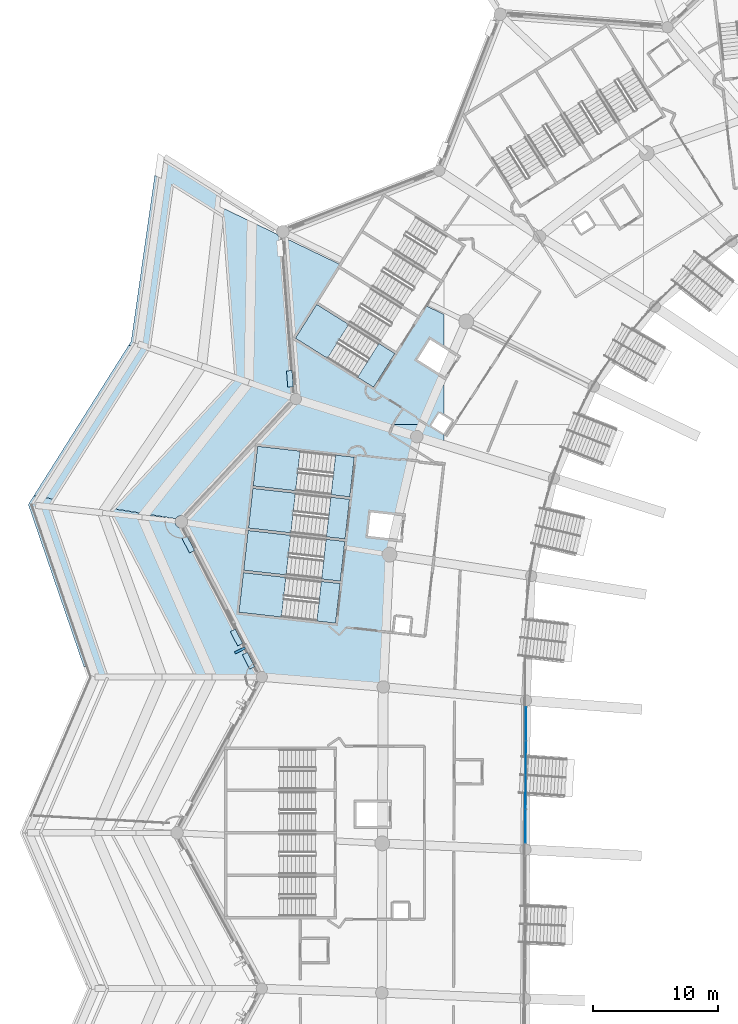
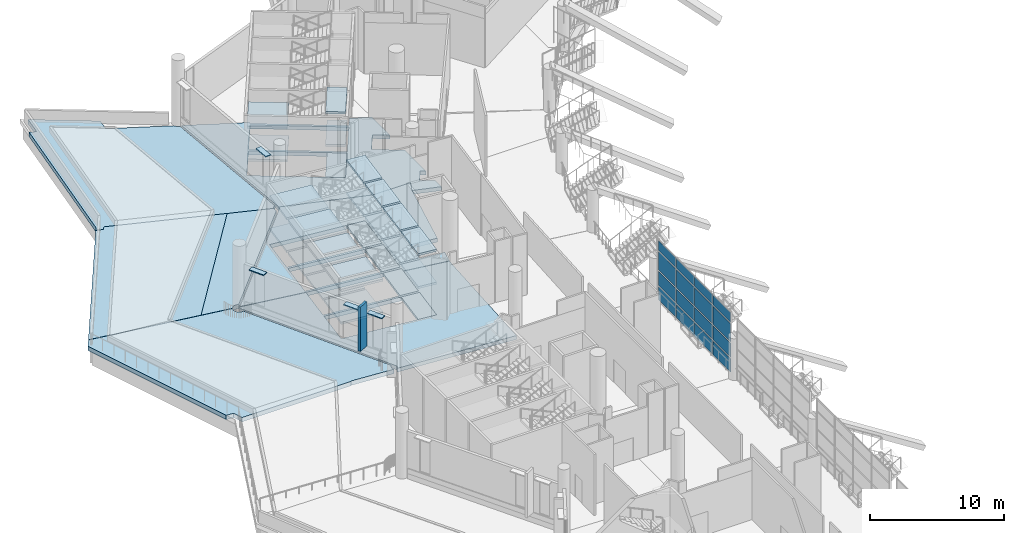
# One storey, part 33 of 173: 32 slabs, 21 plates, 6 elements without a shape of their own.
"""IFC4 building model written with IfcOpenShell, lengths in metres."""

from ifc_helpers import new_model, si_unit, direction, frame, origin, origin_2d, place, context, subcontext, project, spatial, polyline, rectangle, outline, extrude, material, layer, layer_set, type_object, element, aggregate, save


model = new_model("IFC4")

# Units and contexts
model_context = context("Model", 3, precision=1e-05, world=origin(), true_north=direction((0.0, 1.0)))
body_context = subcontext(model_context, "Body", "Model", "MODEL_VIEW")
ifc_project = project(units=[si_unit("LENGTHUNIT", "METRE"), si_unit("AREAUNIT", "SQUARE_METRE"), si_unit("VOLUMEUNIT", "CUBIC_METRE"), si_unit("PLANEANGLEUNIT", "RADIAN"), si_unit("MASSUNIT", "GRAM", prefix="KILO")], contexts=[model_context])

# Site, building, storey
site_placement = place(None, origin())
site = spatial("IfcSite", under=ifc_project, at=site_placement, CompositionType="ELEMENT")
building_placement = place(site_placement, origin())
building = spatial("IfcBuilding", under=site, at=building_placement, Name="Meseta Stadium", CompositionType="ELEMENT")
storey_placement = place(building_placement, frame((0.0, 0.0, 18.0)))
storey = spatial("IfcBuildingStorey", under=building, at=storey_placement, Name="L03", CompositionType="ELEMENT", Elevation=18.0)

# Curtain wall, plates
ifc_material_1 = material(Name="Aluminium", Category="aluminium")
ifc_layer_1 = layer(ifc_material_1, 0.25)
ifc_layer_set_1 = layer_set([ifc_layer_1], Name="Media Centre glazing curtain wall")
curtain_wall_type = type_object("IfcCurtainWallType", Name="Media Centre glazing curtain wall", PredefinedType="NOTDEFINED", material=ifc_layer_set_1)
curtain_wall_placement = place(storey_placement, origin())
curtain_wall = element("IfcCurtainWall", 1, at=curtain_wall_placement, inside=storey, type_object=curtain_wall_type, Name="Media Centre glazing bay 29", PredefinedType="NOTDEFINED")
ifc_material_2 = material(Name="Glass", Category="glass")
ifc_layer_2 = layer(ifc_material_2, 0.028076171875)
ifc_layer_set_2 = layer_set([ifc_layer_2], Name="CW glass panel 28")
plate_type_1 = type_object("IfcPlateType", Name="CW glass panel 28", PredefinedType="CURTAIN_PANEL", material=ifc_layer_set_2)
plate_1_placement = place(storey_placement, frame((-73.411865234375, 39.9921875, 0.1201171875), z_axis=(0.0, 0.0, 1.0), x_axis=(-0.003895107102, -0.999992414042, 0.0)))
plate_1 = element("IfcPlate", 2, at=plate_1_placement, type_object=plate_type_1, Name="CWM panel 1.1", PredefinedType="CURTAIN_PANEL", context=body_context, shape_type="SweptSolid", body=[
    extrude(rectangle(XDim=2.65966796875, YDim=0.028076171875, at=origin_2d()), origin(), (0.0, 0.0, 1.0), 1.232421875),
])
plate_2_placement = place(storey_placement, frame((-73.411865234375, 39.9921875, 1.472412109375), z_axis=(0.0, 0.0, 1.0), x_axis=(-0.003895107102, -0.999992414042, 0.0)))
plate_2 = element("IfcPlate", 3, at=plate_2_placement, type_object=plate_type_1, Name="CWM panel 1.2", PredefinedType="CURTAIN_PANEL", context=body_context, shape_type="SweptSolid", body=[
    extrude(rectangle(XDim=2.65966796875, YDim=0.028076171875, at=origin_2d()), origin(), (0.0, 0.0, 1.0), 1.29248046875),
])
plate_3_placement = place(storey_placement, frame((-73.411865234375, 39.9921875, 2.885009765625), z_axis=(0.0, 0.0, 1.0), x_axis=(-0.003895107102, -0.999992414042, 0.0)))
plate_3 = element("IfcPlate", 4, at=plate_3_placement, type_object=plate_type_1, Name="CWM panel 1.3", PredefinedType="CURTAIN_PANEL", context=body_context, shape_type="SweptSolid", body=[
    extrude(rectangle(XDim=2.65966796875, YDim=0.028076171875, at=origin_2d()), origin(), (0.0, 0.0, 1.0), 1.6640625),
])
plate_4_placement = place(storey_placement, frame((-73.411865234375, 39.9921875, 4.669189453125), z_axis=(0.0, 0.0, 1.0), x_axis=(-0.003895107102, -0.999992414042, 0.0)))
plate_4 = element("IfcPlate", 5, at=plate_4_placement, type_object=plate_type_1, Name="CWM panel 1.4", PredefinedType="CURTAIN_PANEL", context=body_context, shape_type="SweptSolid", body=[
    extrude(rectangle(XDim=2.65966796875, YDim=0.028076171875, at=origin_2d()), origin(), (0.0, 0.0, 1.0), 0.86083984375),
])
plate_5_placement = place(storey_placement, frame((-73.422607421875, 37.257568359375, 0.1201171875), z_axis=(0.0, 0.0, 1.0), x_axis=(-0.003895107102, -0.999992414042, 0.0)))
plate_5 = element("IfcPlate", 6, at=plate_5_placement, type_object=plate_type_1, Name="CWM panel 2.1", PredefinedType="CURTAIN_PANEL", context=body_context, shape_type="SweptSolid", body=[
    extrude(rectangle(XDim=2.689697265625, YDim=0.028076171875, at=origin_2d()), origin(), (0.0, 0.0, 1.0), 1.232421875),
])
plate_6_placement = place(storey_placement, frame((-73.422607421875, 37.257568359375, 1.472412109375), z_axis=(0.0, 0.0, 1.0), x_axis=(-0.003895107102, -0.999992414042, 0.0)))
plate_6 = element("IfcPlate", 7, at=plate_6_placement, type_object=plate_type_1, Name="CWM panel 2.2", PredefinedType="CURTAIN_PANEL", context=body_context, shape_type="SweptSolid", body=[
    extrude(rectangle(XDim=2.689697265625, YDim=0.028076171875, at=origin_2d()), origin(), (0.0, 0.0, 1.0), 1.29248046875),
])
plate_7_placement = place(storey_placement, frame((-73.422607421875, 37.257568359375, 2.885009765625), z_axis=(0.0, 0.0, 1.0), x_axis=(-0.003895107102, -0.999992414042, 0.0)))
plate_7 = element("IfcPlate", 8, at=plate_7_placement, type_object=plate_type_1, Name="CWM panel 2.3", PredefinedType="CURTAIN_PANEL", context=body_context, shape_type="SweptSolid", body=[
    extrude(rectangle(XDim=2.689697265625, YDim=0.028076171875, at=origin_2d()), origin(), (0.0, 0.0, 1.0), 1.6640625),
])
plate_8_placement = place(storey_placement, frame((-73.422607421875, 37.257568359375, 4.669189453125), z_axis=(0.0, 0.0, 1.0), x_axis=(-0.003895107102, -0.999992414042, 0.0)))
plate_8 = element("IfcPlate", 9, at=plate_8_placement, type_object=plate_type_1, Name="CWM panel 2.4", PredefinedType="CURTAIN_PANEL", context=body_context, shape_type="SweptSolid", body=[
    extrude(rectangle(XDim=2.689697265625, YDim=0.028076171875, at=origin_2d()), origin(), (0.0, 0.0, 1.0), 0.86083984375),
])
plate_9_placement = place(storey_placement, frame((-73.433349609375, 34.508056640625, 0.1201171875), z_axis=(0.0, 0.0, 1.0), x_axis=(-0.003895107102, -0.999992414042, 0.0)))
plate_9 = element("IfcPlate", 10, at=plate_9_placement, type_object=plate_type_1, Name="CWM panel 3.1", PredefinedType="CURTAIN_PANEL", context=body_context, shape_type="SweptSolid", body=[
    extrude(rectangle(XDim=2.689697265625, YDim=0.028076171875, at=origin_2d()), origin(), (0.0, 0.0, 1.0), 1.232421875),
])
plate_10_placement = place(storey_placement, frame((-73.433349609375, 34.508056640625, 1.472412109375), z_axis=(0.0, 0.0, 1.0), x_axis=(-0.003895107102, -0.999992414042, 0.0)))
plate_10 = element("IfcPlate", 11, at=plate_10_placement, type_object=plate_type_1, Name="CWM panel 3.2", PredefinedType="CURTAIN_PANEL", context=body_context, shape_type="SweptSolid", body=[
    extrude(rectangle(XDim=2.689697265625, YDim=0.028076171875, at=origin_2d()), origin(), (0.0, 0.0, 1.0), 1.29248046875),
])
plate_11_placement = place(storey_placement, frame((-73.433349609375, 34.508056640625, 2.885009765625), z_axis=(0.0, 0.0, 1.0), x_axis=(-0.003895107102, -0.999992414042, 0.0)))
plate_11 = element("IfcPlate", 12, at=plate_11_placement, type_object=plate_type_1, Name="CWM panel 3.3", PredefinedType="CURTAIN_PANEL", context=body_context, shape_type="SweptSolid", body=[
    extrude(rectangle(XDim=2.689697265625, YDim=0.028076171875, at=origin_2d()), origin(), (0.0, 0.0, 1.0), 1.6640625),
])
plate_12_placement = place(storey_placement, frame((-73.433349609375, 34.508056640625, 4.669189453125), z_axis=(0.0, 0.0, 1.0), x_axis=(-0.003895107102, -0.999992414042, 0.0)))
plate_12 = element("IfcPlate", 13, at=plate_12_placement, type_object=plate_type_1, Name="CWM panel 3.4", PredefinedType="CURTAIN_PANEL", context=body_context, shape_type="SweptSolid", body=[
    extrude(rectangle(XDim=2.689697265625, YDim=0.028076171875, at=origin_2d()), origin(), (0.0, 0.0, 1.0), 0.86083984375),
])
plate_13_placement = place(storey_placement, frame((-73.444091796875, 31.7734375, 0.1201171875), z_axis=(0.0, 0.0, 1.0), x_axis=(-0.003895107102, -0.999992414042, 0.0)))
plate_13 = element("IfcPlate", 14, at=plate_13_placement, type_object=plate_type_1, Name="CWM panel 4.1", PredefinedType="CURTAIN_PANEL", context=body_context, shape_type="SweptSolid", body=[
    extrude(rectangle(XDim=2.65966796875, YDim=0.028076171875, at=origin_2d()), origin(), (0.0, 0.0, 1.0), 1.232421875),
])
plate_14_placement = place(storey_placement, frame((-73.444091796875, 31.7734375, 1.472412109375), z_axis=(0.0, 0.0, 1.0), x_axis=(-0.003895107102, -0.999992414042, 0.0)))
plate_14 = element("IfcPlate", 15, at=plate_14_placement, type_object=plate_type_1, Name="CWM panel 4.2", PredefinedType="CURTAIN_PANEL", context=body_context, shape_type="SweptSolid", body=[
    extrude(rectangle(XDim=2.65966796875, YDim=0.028076171875, at=origin_2d()), origin(), (0.0, 0.0, 1.0), 1.29248046875),
])
plate_15_placement = place(storey_placement, frame((-73.444091796875, 31.7734375, 2.885009765625), z_axis=(0.0, 0.0, 1.0), x_axis=(-0.003895107102, -0.999992414042, 0.0)))
plate_15 = element("IfcPlate", 16, at=plate_15_placement, type_object=plate_type_1, Name="CWM panel 4.3", PredefinedType="CURTAIN_PANEL", context=body_context, shape_type="SweptSolid", body=[
    extrude(rectangle(XDim=2.65966796875, YDim=0.028076171875, at=origin_2d()), origin(), (0.0, 0.0, 1.0), 1.6640625),
])
plate_16_placement = place(storey_placement, frame((-73.444091796875, 31.7734375, 4.669189453125), z_axis=(0.0, 0.0, 1.0), x_axis=(-0.003895107102, -0.999992414042, 0.0)))
plate_16 = element("IfcPlate", 17, at=plate_16_placement, type_object=plate_type_1, Name="CWM panel 4.4", PredefinedType="CURTAIN_PANEL", context=body_context, shape_type="SweptSolid", body=[
    extrude(rectangle(XDim=2.65966796875, YDim=0.028076171875, at=origin_2d()), origin(), (0.0, 0.0, 1.0), 0.86083984375),
])
aggregate(curtain_wall, [plate_1, plate_2, plate_3, plate_4, plate_5, plate_6, plate_7, plate_8, plate_9, plate_10, plate_11, plate_12, plate_13, plate_14, plate_15, plate_16])

# Slabs
ifc_material_3 = material(Name="Concrete C40/50", Category="concrete")
ifc_layer_3 = layer(ifc_material_3, 0.35009765625)
ifc_layer_set_3 = layer_set([ifc_layer_3], Name="Floor slab 350")
slab_type_1 = type_object("IfcSlabType", Name="Floor slab 350", PredefinedType="FLOOR", material=ifc_layer_set_3)
slab_1_placement = place(storey_placement, frame((0.0, 0.0, -0.35009765625)))
element("IfcSlab", 18, at=slab_1_placement, inside=storey, type_object=slab_type_1, Name="Floor slab L03 sector 21 panel 01", PredefinedType="FLOOR", context=body_context, shape_type="SweptSolid", body=[
    extrude(outline(polyline([(-87.94580078125, 54.62548828125), (-87.985595703125, 54.272216796875), (-84.335693359375, 53.684326171875), (-84.0673828125, 54.842529296875), (-86.08447265625, 55.06982421875), (-85.87158203125, 56.9580078125), (-83.635498046875, 56.7060546875), (-82.169189453125, 63.03369140625), (-81.75390625, 64.0), (-84.956787109375, 64.0), (-91.8818359375, 66.171142578125), (-91.872802734375, 66.051513671875), (-100.910888671875, 56.353759765625), (-95.3837890625, 55.463623046875), (-87.94580078125, 54.62548828125)]), holes=[polyline([(-95.67431640625, 55.697509765625), (-95.316162109375, 58.87744140625), (-87.565185546875, 58.004150390625), (-87.923583984375, 54.82421875), (-95.67431640625, 55.697509765625)]), polyline([(-95.293701171875, 59.076171875), (-94.935302734375, 62.256103515625), (-87.1845703125, 61.3828125), (-87.542724609375, 58.202880859375), (-95.293701171875, 59.076171875)])]), origin(), (0.0, 0.0, 1.0), 0.35009765625),
])
slab_2_placement = place(storey_placement, frame((0.0, 0.0, -0.35009765625)))
element("IfcSlab", 19, at=slab_2_placement, inside=storey, type_object=slab_type_1, Name="Floor slab L03 sector 21 panel 02", PredefinedType="FLOOR", context=body_context, shape_type="SweptSolid", body=[
    extrude(outline(polyline([(-80.0, 70.12353515625), (-80.0, 72.84228515625), (-81.504150390625, 73.565673828125), (-82.01708984375, 72.749267578125), (-88.282958984375, 76.686279296875), (-88.2158203125, 76.793212890625), (-92.87451171875, 79.03369140625), (-91.8818359375, 66.171142578125), (-84.956787109375, 64.0), (-81.75390625, 64.0), (-82.169189453125, 63.03369140625), (-80.0, 62.371826171875), (-80.0, 63.273681640625), (-81.015625, 63.91162109375), (-80.377197265625, 64.927734375), (-80.0, 64.69091796875), (-80.0, 67.879638671875), (-82.11572265625, 69.208984375), (-81.10498046875, 70.81787109375), (-80.0, 70.12353515625)]), holes=[polyline([(-91.90087890625, 70.9287109375), (-90.1982421875, 73.63818359375), (-83.9326171875, 69.700927734375), (-85.635009765625, 66.991455078125), (-91.90087890625, 70.9287109375)]), polyline([(-88.389404296875, 76.516845703125), (-82.123779296875, 72.579833984375), (-83.826171875, 69.870361328125), (-90.091796875, 73.807373046875), (-88.389404296875, 76.516845703125)])]), origin(), (0.0, 0.0, 1.0), 0.35009765625),
])
slab_3_placement = place(storey_placement, frame((0.0, 0.0, -0.35009765625)))
element("IfcSlab", 20, at=slab_3_placement, inside=storey, type_object=slab_type_1, Name="Floor slab L03 sector 28 panel 03", PredefinedType="FLOOR", context=body_context, shape_type="SweptSolid", body=[
    extrude(outline(polyline([(-87.98779296875, 54.252197265625), (-88.30419921875, 51.44580078125), (-96.05517578125, 52.319091796875), (-95.697509765625, 55.493896484375), (-100.927490234375, 56.336181640625), (-101.0517578125, 56.202880859375), (-94.60009765625, 43.75), (-94.736328125, 43.49951171875), (-84.85546875, 42.7412109375), (-84.85400390625, 42.948486328125), (-84.36328125, 53.5654296875), (-84.34033203125, 53.664794921875), (-87.98779296875, 54.252197265625)]), holes=[polyline([(-88.684814453125, 48.06689453125), (-96.435791015625, 48.9404296875), (-96.077392578125, 52.1201171875), (-88.326416015625, 51.246826171875), (-88.684814453125, 48.06689453125)])]), origin(), (0.0, 0.0, 1.0), 0.35009765625),
])

# Plates
ifc_material_4 = material(Name="White precast concrete C40/50", Category="concrete")
ifc_layer_4 = layer(ifc_material_4, 0.080078125)
ifc_layer_set_4 = layer_set([ifc_layer_4], Name="Louvre hood 1300x450")
plate_type_2 = type_object("IfcPlateType", Name="Louvre hood 1300x450", PredefinedType="USERDEFINED", material=ifc_layer_set_4)
for number, where, z_axis, x_axis, name in (
    (21, (-92.3486328125, 67.669677734375, 4.25), (0.0, 0.0, 1.0), (0.076936568886, -0.997035989505, 0.0), "Louvre hood L03 F26"),
    (22, (-95.669677734375, 45.053955078125, 4.25), (0.0, 0.0, 1.0), (0.460015515268, -0.887910877122, 0.0), "Louvre hood L03 F28"),
    (23, (-96.6357421875, 46.918701171875, 4.25), (0.0, 0.0, 1.0), (0.460015515268, -0.887910877122, 0.0), "Louvre hood L03 F28"),
    (24, (-100.5, 54.377197265625, 4.25), (0.0, 0.0, 1.0), (0.460015515268, -0.887910877122, 0.0), "Louvre hood L03 F28"),
):
    element("IfcPlate", number, at=place(storey_placement, frame(where, z_axis=z_axis, x_axis=x_axis)), inside=storey, type_object=plate_type_2, Name=name, ObjectType="LOUVRE", PredefinedType="USERDEFINED", context=body_context, shape_type="SweptSolid", body=[
        extrude(rectangle(XDim=1.300048828125, YDim=0.449951171875, at=origin_2d()), origin(), (0.0, 0.0, 1.0), 0.080078125),
    ])
ifc_material_5 = material(Name="Precast concrete C40/50, terracotta pigment", Category="masonry")
ifc_layer_5 = layer(ifc_material_5, 0.199951171875)
ifc_layer_set_5 = layer_set([ifc_layer_5], Name="Precast concrete C40/50, terracotta pigment")
plate_type_3 = type_object("IfcPlateType", Name="Precast fin 200x900", PredefinedType="USERDEFINED", material=ifc_layer_set_5)
plate_17_placement = place(storey_placement, frame((-96.3525390625, 45.8828125, 0.9501953125), z_axis=(0.0, 0.0, 1.0), x_axis=(-0.46001538077, 0.887910946804, 0.0)))
element("IfcPlate", 25, at=plate_17_placement, inside=storey, type_object=plate_type_3, Name="Precast fin L03 F28.1", ObjectType="FIN", PredefinedType="USERDEFINED", context=body_context, shape_type="SweptSolid", body=[
    extrude(rectangle(XDim=0.199951171875, YDim=0.89990234375, at=origin_2d()), origin(), (0.0, 0.0, 1.0), 4.050048828125),
])

# Slabs
ifc_material_6 = material(Name="Concrete C40/50", Category="concrete")
ifc_layer_6 = layer(ifc_material_6, 0.39990234375)
ifc_layer_set_6 = layer_set([ifc_layer_6], Name="Roof garden slab 400")
slab_type_2 = type_object("IfcSlabType", Name="Roof garden slab 400", PredefinedType="ROOF", material=ifc_layer_set_6)
slab_4_placement = place(storey_placement, frame((0.0, 0.0, -0.39990234375)))
element("IfcSlab", 26, at=slab_4_placement, inside=storey, type_object=slab_type_2, Name="Roof garden slab 4 part 1 panel 03", PredefinedType="ROOF", context=body_context, shape_type="SweptSolid", body=[
    extrude(outline(polyline([(-108.0, 43.75), (-98.60009765625, 43.75), (-98.578369140625, 43.79443359375), (-94.989990234375, 43.51904296875), (-94.9931640625, 43.523193359375), (-95.038330078125, 43.632568359375), (-95.053955078125, 43.75), (-95.038330078125, 43.867431640625), (-94.9931640625, 43.976806640625), (-94.929443359375, 44.059814453125), (-100.965087890625, 55.7099609375), (-101.0517578125, 55.698486328125), (-101.18212890625, 55.7158203125), (-101.3037109375, 55.76611328125), (-101.408203125, 55.84619140625), (-101.48828125, 55.95068359375), (-101.538818359375, 56.072265625), (-101.555908203125, 56.202880859375), (-101.538818359375, 56.33349609375), (-101.49951171875, 56.42822265625), (-112.906982421875, 58.265380859375), (-113.334716796875, 57.5869140625), (-108.885986328125, 44.58544921875), (-108.271240234375, 44.538330078125), (-108.0, 43.75)])), origin(), (0.0, 0.0, 1.0), 0.39990234375),
])
slab_5_placement = place(storey_placement, frame((0.0, 0.0, -0.39990234375)))
element("IfcSlab", 27, at=slab_5_placement, inside=storey, type_object=slab_type_2, Name="Roof garden slab 4 part 2 panel 01", PredefinedType="ROOF", context=body_context, shape_type="SweptSolid", body=[
    extrude(outline(polyline([(-103.982666015625, 56.848388671875), (-95.661376953125, 67.356201171875), (-95.648681640625, 67.352294921875), (-95.648193359375, 67.372802734375), (-104.520751953125, 70.477294921875), (-104.702392578125, 70.19091796875), (-105.27880859375, 70.37158203125), (-112.895263671875, 58.283935546875), (-103.982666015625, 56.848388671875)])), origin(), (0.0, 0.0, 1.0), 0.39990234375),
])
slab_6_placement = place(storey_placement, frame((0.0, 0.0, -0.39990234375)))
element("IfcSlab", 28, at=slab_6_placement, inside=storey, type_object=slab_type_2, Name="Roof garden slab 4 part 2 panel 03", PredefinedType="ROOF", context=body_context, shape_type="SweptSolid", body=[
    extrude(outline(polyline([(-92.054931640625, 66.463134765625), (-93.021240234375, 78.985107421875), (-93.0390625, 78.9873046875), (-93.16064453125, 79.037841796875), (-93.26513671875, 79.117919921875), (-93.34521484375, 79.222412109375), (-93.364990234375, 79.26953125), (-97.9755859375, 81.487060546875), (-97.851806640625, 82.580810546875), (-102.42431640625, 85.45361328125), (-102.663818359375, 83.74169921875), (-103.186279296875, 83.992919921875), (-105.087158203125, 70.675537109375), (-105.27880859375, 70.37158203125), (-104.702392578125, 70.19091796875), (-104.520751953125, 70.477294921875), (-95.648193359375, 67.372802734375), (-95.648681640625, 67.352294921875), (-95.082763671875, 67.1748046875), (-92.298095703125, 66.200439453125), (-92.265869140625, 66.278564453125), (-92.193603515625, 66.37255859375), (-92.099609375, 66.444580078125), (-92.054931640625, 66.463134765625)])), origin(), (0.0, 0.0, 1.0), 0.39990234375),
])
slab_7_placement = place(storey_placement, frame((0.0, 0.0, -0.39990234375)))
element("IfcSlab", 29, at=slab_7_placement, inside=storey, type_object=slab_type_2, Name="Roof garden slab 4 part 2 panel 04", PredefinedType="ROOF", context=body_context, shape_type="SweptSolid", body=[
    extrude(outline(polyline([(-92.32666015625, 66.051513671875), (-92.31103515625, 66.1689453125), (-92.298095703125, 66.200439453125), (-95.08154296875, 67.17431640625), (-95.661376953125, 67.356201171875), (-103.982666015625, 56.848388671875), (-101.49169921875, 56.447265625), (-101.48828125, 56.455078125), (-101.408203125, 56.559326171875), (-101.3037109375, 56.6396484375), (-101.18212890625, 56.68994140625), (-101.0517578125, 56.70703125), (-100.921142578125, 56.68994140625), (-100.835693359375, 56.654541015625), (-92.27294921875, 65.842041015625), (-92.31103515625, 65.93408203125), (-92.32666015625, 66.051513671875)])), origin(), (0.0, 0.0, 1.0), 0.39990234375),
])

# Stair, slabs
ifc_material_7 = material(Name="Concrete C40/50", Category="concrete")
stair_type = type_object("IfcStairType", Name="Exit stair 4 flights 150 mm risers", PredefinedType="HALF_TURN_STAIR", material=ifc_material_7)
stair_1_placement = place(storey_placement, origin())
stair_1 = element("IfcStair", 30, at=stair_1_placement, inside=storey, type_object=stair_type, Name="ST56 L03", PredefinedType="HALF_TURN_STAIR")
ifc_material_8 = material(Name="Concrete C40/50", Category="concrete")
ifc_layer_7 = layer(ifc_material_8, 0.199951171875)
ifc_layer_set_7 = layer_set([ifc_layer_7], Name="Stair landing 200")
slab_type_3 = type_object("IfcSlabType", Name="Stair landing 200", PredefinedType="LANDING", material=ifc_layer_set_7)
slab_8_placement = place(storey_placement, frame((0.0, 0.0, 1.300048828125)))
slab_8 = element("IfcSlab", 31, at=slab_8_placement, type_object=slab_type_3, Name="ST56 L03 landing 1", PredefinedType="LANDING", context=body_context, shape_type="SweptSolid", body=[
    extrude(outline(polyline([(-87.6328125, 72.026123046875), (-90.1982421875, 73.63818359375), (-91.90087890625, 70.928466796875), (-89.335205078125, 69.31640625), (-87.6328125, 72.026123046875)])), origin(), (0.0, 0.0, 1.0), 0.199951171875),
])
slab_9_placement = place(storey_placement, frame((0.0, 0.0, 2.800048828125)))
slab_9 = element("IfcSlab", 32, at=slab_9_placement, type_object=slab_type_3, Name="ST56 L03 landing 2", PredefinedType="LANDING", context=body_context, shape_type="SweptSolid", body=[
    extrude(outline(polyline([(-83.9326171875, 69.700927734375), (-85.211181640625, 70.50439453125), (-86.91357421875, 67.794921875), (-85.635009765625, 66.991455078125), (-83.9326171875, 69.700927734375)])), origin(), (0.0, 0.0, 1.0), 0.199951171875),
])
slab_10_placement = place(storey_placement, frame((0.0, 0.0, 4.300048828125)))
slab_10 = element("IfcSlab", 33, at=slab_10_placement, type_object=slab_type_3, Name="ST56 L03 landing 3", PredefinedType="LANDING", context=body_context, shape_type="SweptSolid", body=[
    extrude(outline(polyline([(-87.6328125, 72.026123046875), (-90.1982421875, 73.63818359375), (-91.90087890625, 70.928466796875), (-89.335205078125, 69.31640625), (-87.6328125, 72.026123046875)])), origin(), (0.0, 0.0, 1.0), 0.199951171875),
])
slab_11_placement = place(storey_placement, frame((0.0, 0.0, -0.199951171875)))
slab_11 = element("IfcSlab", 34, at=slab_11_placement, type_object=slab_type_3, Name="ST56 L03 landing 4", PredefinedType="LANDING", context=body_context, shape_type="SweptSolid", body=[
    extrude(outline(polyline([(-83.9326171875, 69.700927734375), (-85.211181640625, 70.50439453125), (-86.91357421875, 67.794921875), (-85.635009765625, 66.991455078125), (-83.9326171875, 69.700927734375)])), origin(), (0.0, 0.0, 1.0), 0.199951171875),
])
slab_12_placement = place(storey_placement, frame((0.0, 0.0, 5.800048828125)))
slab_12 = element("IfcSlab", 35, at=slab_12_placement, type_object=slab_type_3, Name="ST56 L03 landing 5", PredefinedType="LANDING", context=body_context, shape_type="SweptSolid", body=[
    extrude(outline(polyline([(-83.9326171875, 69.700927734375), (-85.211181640625, 70.50439453125), (-86.91357421875, 67.794921875), (-85.635009765625, 66.991455078125), (-83.9326171875, 69.700927734375)])), origin(), (0.0, 0.0, 1.0), 0.199951171875),
])
aggregate(stair_1, [slab_8, slab_9, slab_10, slab_11, slab_12])

stair_2_placement = place(storey_placement, origin())
stair_2 = element("IfcStair", 36, at=stair_2_placement, inside=storey, type_object=stair_type, Name="ST57 L03", PredefinedType="HALF_TURN_STAIR")
slab_13_placement = place(storey_placement, frame((0.0, 0.0, 1.300048828125)))
slab_13 = element("IfcSlab", 37, at=slab_13_placement, type_object=slab_type_3, Name="ST57 L03 landing 1", PredefinedType="LANDING", context=body_context, shape_type="SweptSolid", body=[
    extrude(outline(polyline([(-91.527099609375, 61.8720703125), (-94.935546875, 62.256103515625), (-95.293701171875, 59.076171875), (-91.88525390625, 58.692138671875), (-91.527099609375, 61.8720703125)])), origin(), (0.0, 0.0, 1.0), 0.199951171875),
])
slab_14_placement = place(storey_placement, frame((0.0, 0.0, 2.800048828125)))
slab_14 = element("IfcSlab", 38, at=slab_14_placement, type_object=slab_type_3, Name="ST57 L03 landing 2", PredefinedType="LANDING", context=body_context, shape_type="SweptSolid", body=[
    extrude(outline(polyline([(-87.1845703125, 61.3828125), (-88.68505859375, 61.5517578125), (-89.043212890625, 58.3720703125), (-87.542724609375, 58.202880859375), (-87.1845703125, 61.3828125)])), origin(), (0.0, 0.0, 1.0), 0.199951171875),
])
slab_15_placement = place(storey_placement, frame((0.0, 0.0, 4.300048828125)))
slab_15 = element("IfcSlab", 39, at=slab_15_placement, type_object=slab_type_3, Name="ST57 L03 landing 3", PredefinedType="LANDING", context=body_context, shape_type="SweptSolid", body=[
    extrude(outline(polyline([(-91.527099609375, 61.8720703125), (-94.935546875, 62.256103515625), (-95.293701171875, 59.076171875), (-91.88525390625, 58.692138671875), (-91.527099609375, 61.8720703125)])), origin(), (0.0, 0.0, 1.0), 0.199951171875),
])
slab_16_placement = place(storey_placement, frame((0.0, 0.0, -0.199951171875)))
slab_16 = element("IfcSlab", 40, at=slab_16_placement, type_object=slab_type_3, Name="ST57 L03 landing 4", PredefinedType="LANDING", context=body_context, shape_type="SweptSolid", body=[
    extrude(outline(polyline([(-87.1845703125, 61.3828125), (-88.68505859375, 61.5517578125), (-89.043212890625, 58.3720703125), (-87.542724609375, 58.202880859375), (-87.1845703125, 61.3828125)])), origin(), (0.0, 0.0, 1.0), 0.199951171875),
])
slab_17_placement = place(storey_placement, frame((0.0, 0.0, 5.800048828125)))
slab_17 = element("IfcSlab", 41, at=slab_17_placement, type_object=slab_type_3, Name="ST57 L03 landing 5", PredefinedType="LANDING", context=body_context, shape_type="SweptSolid", body=[
    extrude(outline(polyline([(-87.1845703125, 61.3828125), (-88.68505859375, 61.5517578125), (-89.043212890625, 58.3720703125), (-87.542724609375, 58.202880859375), (-87.1845703125, 61.3828125)])), origin(), (0.0, 0.0, 1.0), 0.199951171875),
])
aggregate(stair_2, [slab_13, slab_14, slab_15, slab_16, slab_17])

stair_3_placement = place(storey_placement, origin())
stair_3 = element("IfcStair", 42, at=stair_3_placement, inside=storey, type_object=stair_type, Name="ST58 L03", PredefinedType="HALF_TURN_STAIR")
slab_18_placement = place(storey_placement, frame((0.0, 0.0, 1.300048828125)))
slab_18 = element("IfcSlab", 43, at=slab_18_placement, type_object=slab_type_3, Name="ST58 L03 landing 1", PredefinedType="LANDING", context=body_context, shape_type="SweptSolid", body=[
    extrude(outline(polyline([(-91.90771484375, 58.493408203125), (-95.316162109375, 58.87744140625), (-95.67431640625, 55.697509765625), (-92.265869140625, 55.3134765625), (-91.90771484375, 58.493408203125)])), origin(), (0.0, 0.0, 1.0), 0.199951171875),
])
slab_19_placement = place(storey_placement, frame((0.0, 0.0, 2.800048828125)))
slab_19 = element("IfcSlab", 44, at=slab_19_placement, type_object=slab_type_3, Name="ST58 L03 landing 2", PredefinedType="LANDING", context=body_context, shape_type="SweptSolid", body=[
    extrude(outline(polyline([(-87.565185546875, 58.004150390625), (-89.065673828125, 58.17333984375), (-89.424072265625, 54.993408203125), (-87.92333984375, 54.82421875), (-87.565185546875, 58.004150390625)])), origin(), (0.0, 0.0, 1.0), 0.199951171875),
])
slab_20_placement = place(storey_placement, frame((0.0, 0.0, 4.300048828125)))
slab_20 = element("IfcSlab", 45, at=slab_20_placement, type_object=slab_type_3, Name="ST58 L03 landing 3", PredefinedType="LANDING", context=body_context, shape_type="SweptSolid", body=[
    extrude(outline(polyline([(-91.90771484375, 58.493408203125), (-95.316162109375, 58.87744140625), (-95.67431640625, 55.697509765625), (-92.265869140625, 55.3134765625), (-91.90771484375, 58.493408203125)])), origin(), (0.0, 0.0, 1.0), 0.199951171875),
])
slab_21_placement = place(storey_placement, frame((0.0, 0.0, -0.199951171875)))
slab_21 = element("IfcSlab", 46, at=slab_21_placement, type_object=slab_type_3, Name="ST58 L03 landing 4", PredefinedType="LANDING", context=body_context, shape_type="SweptSolid", body=[
    extrude(outline(polyline([(-87.565185546875, 58.004150390625), (-89.065673828125, 58.17333984375), (-89.424072265625, 54.993408203125), (-87.92333984375, 54.82421875), (-87.565185546875, 58.004150390625)])), origin(), (0.0, 0.0, 1.0), 0.199951171875),
])
slab_22_placement = place(storey_placement, frame((0.0, 0.0, 5.800048828125)))
slab_22 = element("IfcSlab", 47, at=slab_22_placement, type_object=slab_type_3, Name="ST58 L03 landing 5", PredefinedType="LANDING", context=body_context, shape_type="SweptSolid", body=[
    extrude(outline(polyline([(-87.565185546875, 58.004150390625), (-89.065673828125, 58.17333984375), (-89.424072265625, 54.993408203125), (-87.92333984375, 54.82421875), (-87.565185546875, 58.004150390625)])), origin(), (0.0, 0.0, 1.0), 0.199951171875),
])
aggregate(stair_3, [slab_18, slab_19, slab_20, slab_21, slab_22])

stair_4_placement = place(storey_placement, origin())
stair_4 = element("IfcStair", 48, at=stair_4_placement, inside=storey, type_object=stair_type, Name="ST59 L03", PredefinedType="HALF_TURN_STAIR")
slab_23_placement = place(storey_placement, frame((0.0, 0.0, 1.300048828125)))
slab_23 = element("IfcSlab", 49, at=slab_23_placement, type_object=slab_type_3, Name="ST59 L03 landing 1", PredefinedType="LANDING", context=body_context, shape_type="SweptSolid", body=[
    extrude(outline(polyline([(-92.288330078125, 55.11474609375), (-95.69677734375, 55.498779296875), (-96.05517578125, 52.319091796875), (-92.646728515625, 51.934814453125), (-92.288330078125, 55.11474609375)])), origin(), (0.0, 0.0, 1.0), 0.199951171875),
])
slab_24_placement = place(storey_placement, frame((0.0, 0.0, 2.800048828125)))
slab_24 = element("IfcSlab", 50, at=slab_24_placement, type_object=slab_type_3, Name="ST59 L03 landing 2", PredefinedType="LANDING", context=body_context, shape_type="SweptSolid", body=[
    extrude(outline(polyline([(-87.94580078125, 54.62548828125), (-89.4462890625, 54.794677734375), (-89.8046875, 51.61474609375), (-88.30419921875, 51.445556640625), (-87.94580078125, 54.62548828125)])), origin(), (0.0, 0.0, 1.0), 0.199951171875),
])
slab_25_placement = place(storey_placement, frame((0.0, 0.0, 4.300048828125)))
slab_25 = element("IfcSlab", 51, at=slab_25_placement, type_object=slab_type_3, Name="ST59 L03 landing 3", PredefinedType="LANDING", context=body_context, shape_type="SweptSolid", body=[
    extrude(outline(polyline([(-92.288330078125, 55.11474609375), (-95.69677734375, 55.498779296875), (-96.05517578125, 52.319091796875), (-92.646728515625, 51.934814453125), (-92.288330078125, 55.11474609375)])), origin(), (0.0, 0.0, 1.0), 0.199951171875),
])
slab_26_placement = place(storey_placement, frame((0.0, 0.0, -0.199951171875)))
slab_26 = element("IfcSlab", 52, at=slab_26_placement, type_object=slab_type_3, Name="ST59 L03 landing 4", PredefinedType="LANDING", context=body_context, shape_type="SweptSolid", body=[
    extrude(outline(polyline([(-87.94580078125, 54.62548828125), (-89.4462890625, 54.794677734375), (-89.8046875, 51.61474609375), (-88.30419921875, 51.445556640625), (-87.94580078125, 54.62548828125)])), origin(), (0.0, 0.0, 1.0), 0.199951171875),
])
slab_27_placement = place(storey_placement, frame((0.0, 0.0, 5.800048828125)))
slab_27 = element("IfcSlab", 53, at=slab_27_placement, type_object=slab_type_3, Name="ST59 L03 landing 5", PredefinedType="LANDING", context=body_context, shape_type="SweptSolid", body=[
    extrude(outline(polyline([(-87.94580078125, 54.62548828125), (-89.4462890625, 54.794677734375), (-89.8046875, 51.61474609375), (-88.30419921875, 51.445556640625), (-87.94580078125, 54.62548828125)])), origin(), (0.0, 0.0, 1.0), 0.199951171875),
])
aggregate(stair_4, [slab_23, slab_24, slab_25, slab_26, slab_27])

stair_5_placement = place(storey_placement, origin())
stair_5 = element("IfcStair", 54, at=stair_5_placement, inside=storey, type_object=stair_type, Name="ST60 L03", PredefinedType="HALF_TURN_STAIR")
slab_28_placement = place(storey_placement, frame((0.0, 0.0, 1.300048828125)))
slab_28 = element("IfcSlab", 55, at=slab_28_placement, type_object=slab_type_3, Name="ST60 L03 landing 1", PredefinedType="LANDING", context=body_context, shape_type="SweptSolid", body=[
    extrude(outline(polyline([(-92.6689453125, 51.736083984375), (-96.077392578125, 52.1201171875), (-96.435791015625, 48.9404296875), (-93.02734375, 48.556396484375), (-92.6689453125, 51.736083984375)])), origin(), (0.0, 0.0, 1.0), 0.199951171875),
])
slab_29_placement = place(storey_placement, frame((0.0, 0.0, 2.800048828125)))
slab_29 = element("IfcSlab", 56, at=slab_29_placement, type_object=slab_type_3, Name="ST60 L03 landing 2", PredefinedType="LANDING", context=body_context, shape_type="SweptSolid", body=[
    extrude(outline(polyline([(-88.326416015625, 51.246826171875), (-89.8271484375, 51.416015625), (-90.185302734375, 48.236083984375), (-88.684814453125, 48.067138671875), (-88.326416015625, 51.246826171875)])), origin(), (0.0, 0.0, 1.0), 0.199951171875),
])
slab_30_placement = place(storey_placement, frame((0.0, 0.0, 4.300048828125)))
slab_30 = element("IfcSlab", 57, at=slab_30_placement, type_object=slab_type_3, Name="ST60 L03 landing 3", PredefinedType="LANDING", context=body_context, shape_type="SweptSolid", body=[
    extrude(outline(polyline([(-92.6689453125, 51.736083984375), (-96.077392578125, 52.1201171875), (-96.435791015625, 48.9404296875), (-93.02734375, 48.556396484375), (-92.6689453125, 51.736083984375)])), origin(), (0.0, 0.0, 1.0), 0.199951171875),
])
slab_31_placement = place(storey_placement, frame((0.0, 0.0, -0.199951171875)))
slab_31 = element("IfcSlab", 58, at=slab_31_placement, type_object=slab_type_3, Name="ST60 L03 landing 4", PredefinedType="LANDING", context=body_context, shape_type="SweptSolid", body=[
    extrude(outline(polyline([(-88.326416015625, 51.246826171875), (-89.8271484375, 51.416015625), (-90.185302734375, 48.236083984375), (-88.684814453125, 48.067138671875), (-88.326416015625, 51.246826171875)])), origin(), (0.0, 0.0, 1.0), 0.199951171875),
])
slab_32_placement = place(storey_placement, frame((0.0, 0.0, 5.800048828125)))
slab_32 = element("IfcSlab", 59, at=slab_32_placement, type_object=slab_type_3, Name="ST60 L03 landing 5", PredefinedType="LANDING", context=body_context, shape_type="SweptSolid", body=[
    extrude(outline(polyline([(-88.326416015625, 51.246826171875), (-89.8271484375, 51.416015625), (-90.185302734375, 48.236083984375), (-88.684814453125, 48.067138671875), (-88.326416015625, 51.246826171875)])), origin(), (0.0, 0.0, 1.0), 0.199951171875),
])
aggregate(stair_5, [slab_28, slab_29, slab_30, slab_31, slab_32])

save(model, "model.ifc")
